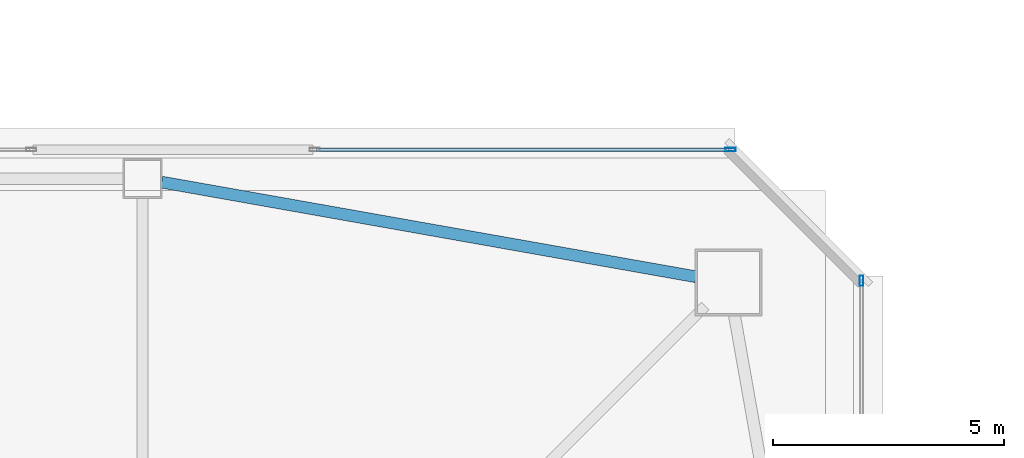
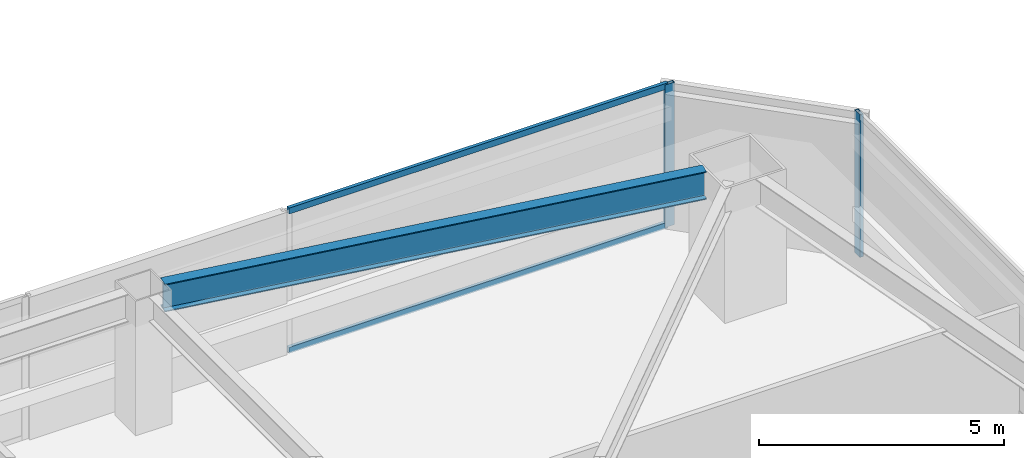
# One storey, part 15 of 44: 4 members, 1 beam, 2 elements without a shape of their own.
"""IFC4 building model written with IfcOpenShell, lengths in metres."""

from ifc_helpers import new_model, si_unit, direction, frame, origin, origin_2d, place, context, subcontext, project, spatial, hollow_rectangle, i_section, extrude, material, material_profile, profile_set, type_object, element, aggregate, save


model = new_model("IFC4")

# Units and contexts
model_context = context("Model", 3, precision=1e-05, world=origin(), true_north=direction((0.0, 1.0)))
body_context = subcontext(model_context, "Body", "Model", "MODEL_VIEW")
ifc_project = project(units=[si_unit("LENGTHUNIT", "METRE"), si_unit("AREAUNIT", "SQUARE_METRE"), si_unit("VOLUMEUNIT", "CUBIC_METRE"), si_unit("PLANEANGLEUNIT", "RADIAN"), si_unit("MASSUNIT", "GRAM", prefix="KILO")], contexts=[model_context])

# Site, building, storey
site_placement = place(None, origin())
site = spatial("IfcSite", under=ifc_project, at=site_placement, CompositionType="ELEMENT")
building_placement = place(site_placement, origin())
building = spatial("IfcBuilding", under=site, at=building_placement, Name="Tashvorn Skyway Center", CompositionType="ELEMENT")
storey_placement = place(building_placement, frame((0.0, 0.0, 92.050048828125)))
storey = spatial("IfcBuildingStorey", under=building, at=storey_placement, Name="L24", CompositionType="ELEMENT", Elevation=92.050048828125)

# Beam
ifc_material_1 = material(Name="Steel ASTM A992 Grade 50", Category="steel")
ifc_material_profile_1 = material_profile(ifc_material_1, i_section(OverallWidth=0.256103515625, OverallDepth=0.693115234375, WebThickness=0.014404296875, FlangeThickness=0.023681640625, at=origin_2d()), Name="W27X114")
ifc_profile_set_1 = profile_set([ifc_material_profile_1], Name="Steel ASTM A992 Grade 50")
beam_type = type_object("IfcBeamType", Name="BM-SPANDREL-W27X114", PredefinedType="SPANDREL", material=ifc_profile_set_1)
beam_placement = place(storey_placement, frame((59.39111328125, 50.2255859375, 3.00341796875), z_axis=(-0.98466816531, 0.174437966698, 0.0), x_axis=(-0.174437966698, -0.98466816531, 0.0)))
element("IfcBeam", 1, at=beam_placement, inside=storey, type_object=beam_type, Name="Tower 1 L24 Spandrel Beam 07", PredefinedType="SPANDREL", context=body_context, shape_type="SweptSolid", body=[
    extrude(i_section(OverallWidth=0.256103515625, OverallDepth=0.693115234375, WebThickness=0.014404296875, FlangeThickness=0.023681640625, at=origin_2d()), origin(), (0.0, 0.0, 1.0), 11.7578125),
])

# Curtain wall, member
ifc_material_2 = material(Name="Thermally broken bronze-anodized aluminium 6063-T6", Category="aluminium")
curtain_wall_type = type_object("IfcCurtainWallType", Name="CW-CW-Z2", PredefinedType="NOTDEFINED", material=ifc_material_2)
curtain_wall_1_placement = place(storey_placement, origin())
curtain_wall_1 = element("IfcCurtainWall", 2, at=curtain_wall_1_placement, inside=storey, type_object=curtain_wall_type, Name="Tower 1 L24 North Unitised Curtain Wall Glazing Group 3", PredefinedType="NOTDEFINED")
ifc_material_profile_2 = material_profile(ifc_material_2, hollow_rectangle(XDim=0.080078125, YDim=0.219970703125, WallThickness=0.0048828125, at=origin_2d()), Name="ALU-MULL-80x220")
ifc_profile_set_2 = profile_set([ifc_material_profile_2], Name="Thermally broken bronze-anodized aluminium 6063-T6")
member_type_1 = type_object("IfcMemberType", Name="CWM-CW-Z2", PredefinedType="MULLION", material=ifc_profile_set_2)
member_1_placement = place(storey_placement, frame((60.139892578125, 52.97998046875, 0.0), z_axis=(0.0, 0.0, 1.0), x_axis=(0.0, 1.0, 0.0)))
member_1 = element("IfcMember", 3, at=member_1_placement, type_object=member_type_1, Name="CW-Z2 mullion 2", PredefinedType="MULLION", context=body_context, shape_type="SweptSolid", body=[
    extrude(hollow_rectangle(XDim=0.080078125, YDim=0.219970703125, WallThickness=0.0048828125, at=origin_2d()), origin(), (0.0, 0.0, 1.0), 3.550048828125),
])

curtain_wall_2_placement = place(storey_placement, origin())
curtain_wall_2 = element("IfcCurtainWall", 4, at=curtain_wall_2_placement, inside=storey, type_object=curtain_wall_type, Name="Tower 1 L24 East Unitised Curtain Wall Glazing Group 1", PredefinedType="NOTDEFINED")
member_2_placement = place(storey_placement, frame((62.97998046875, 50.139892578125, 0.0), z_axis=(0.0, 0.0, 1.0), x_axis=(1.0, 0.0, 0.0)))
member_2 = element("IfcMember", 5, at=member_2_placement, type_object=member_type_1, Name="CW-Z2 mullion 1", PredefinedType="MULLION", context=body_context, shape_type="SweptSolid", body=[
    extrude(hollow_rectangle(XDim=0.080078125, YDim=0.219970703125, WallThickness=0.0048828125, at=origin_2d()), origin(), (0.0, 0.0, 1.0), 3.550048828125),
])
aggregate(curtain_wall_2, [member_2])

# Member
ifc_material_profile_3 = material_profile(ifc_material_2, hollow_rectangle(XDim=0.080078125, YDim=0.14990234375, WallThickness=0.00439453125, at=origin_2d()), Name="ALU-TRAN-80x150")
ifc_profile_set_3 = profile_set([ifc_material_profile_3], Name="Thermally broken bronze-anodized aluminium 6063-T6")
member_type_2 = type_object("IfcMemberType", Name="CWT-CW-Z2", PredefinedType="USERDEFINED", material=ifc_profile_set_3)
member_3_placement = place(storey_placement, frame((51.169921875, 52.97998046875, 0.0400390625), z_axis=(1.0, 0.0, 0.0), x_axis=(0.0, 1.0, 0.0)))
member_3 = element("IfcMember", 6, at=member_3_placement, type_object=member_type_2, Name="CW-Z2 transom 1.1", ObjectType="TRANSOM", PredefinedType="USERDEFINED", context=body_context, shape_type="SweptSolid", body=[
    extrude(hollow_rectangle(XDim=0.080078125, YDim=0.14990234375, WallThickness=0.00439453125, at=origin_2d()), origin(), (0.0, 0.0, 1.0), 8.93017578125),
])

member_4_placement = place(storey_placement, frame((51.169921875, 52.97998046875, 3.510009765625), z_axis=(1.0, 0.0, 0.0), x_axis=(0.0, 1.0, 0.0)))
member_4 = element("IfcMember", 7, at=member_4_placement, type_object=member_type_2, Name="CW-Z2 transom 1.2", ObjectType="TRANSOM", PredefinedType="USERDEFINED", context=body_context, shape_type="SweptSolid", body=[
    extrude(hollow_rectangle(XDim=0.080078125, YDim=0.14990234375, WallThickness=0.00439453125, at=origin_2d()), origin(), (0.0, 0.0, 1.0), 8.93017578125),
])

aggregate(curtain_wall_1, [member_1, member_3, member_4])

save(model, "model.ifc")
